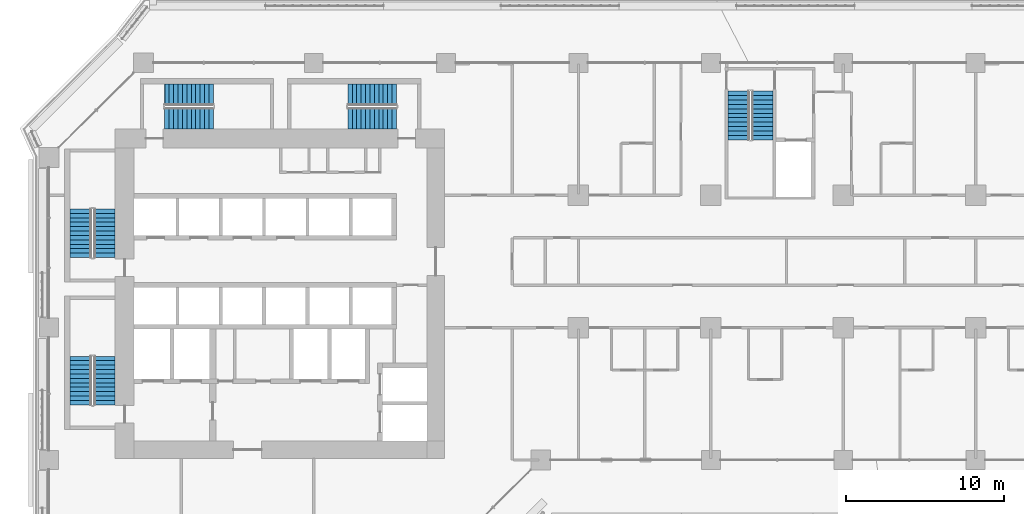
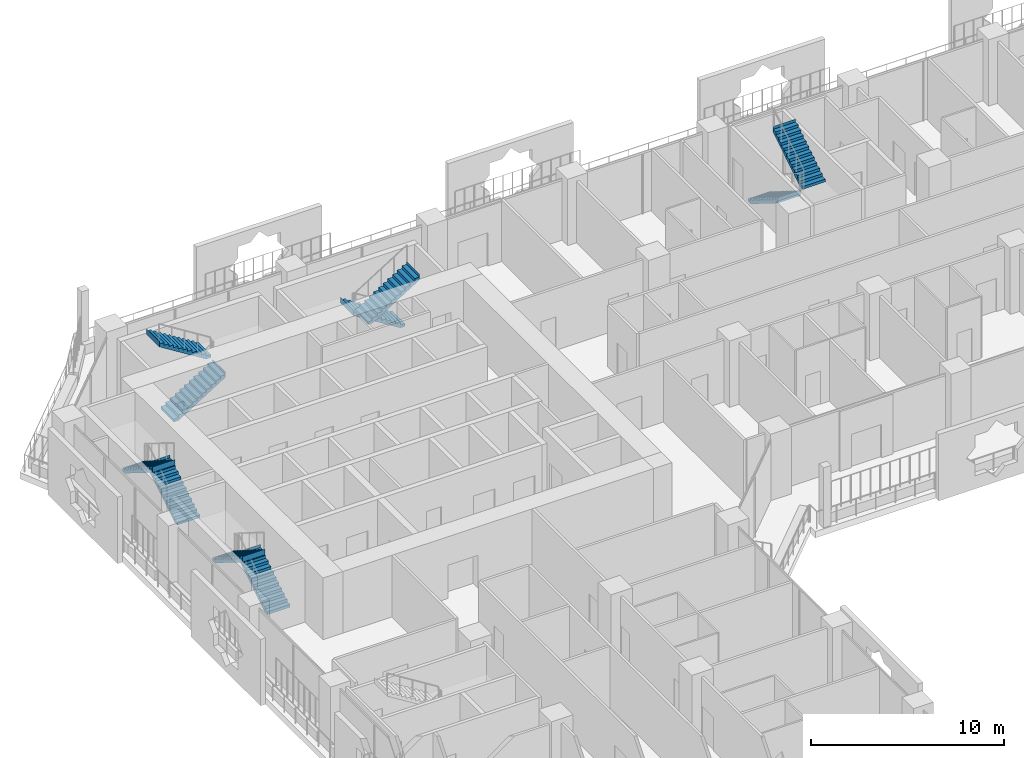
# One storey, part 21 of 29: 10 stair flights, 5 elements without a shape of their own.
"""IFC4 building model written with IfcOpenShell, lengths in metres."""

from ifc_helpers import new_model, si_unit, direction, frame, origin, place, context, subcontext, project, spatial, polyline, outline, extrude, material, type_object, element, aggregate, save


model = new_model("IFC4")

# Units and contexts
model_context = context("Model", 3, precision=1e-05, world=origin(), true_north=direction((0.0, 1.0)))
body_context = subcontext(model_context, "Body", "Model", "MODEL_VIEW")
ifc_project = project(units=[si_unit("LENGTHUNIT", "METRE"), si_unit("AREAUNIT", "SQUARE_METRE"), si_unit("VOLUMEUNIT", "CUBIC_METRE"), si_unit("PLANEANGLEUNIT", "RADIAN"), si_unit("MASSUNIT", "GRAM", prefix="KILO")], contexts=[model_context])

# Site, building, storey
site_placement = place(None, origin())
site = spatial("IfcSite", under=ifc_project, at=site_placement, CompositionType="ELEMENT")
building_placement = place(site_placement, origin())
building = spatial("IfcBuilding", under=site, at=building_placement, Name="Kawkab Arch Medical Tower", CompositionType="ELEMENT")
storey_placement = place(building_placement, frame((0.0, 0.0, 64.39990234375)))
storey = spatial("IfcBuildingStorey", under=building, at=storey_placement, Name="L14", CompositionType="ELEMENT", Elevation=64.39990234375)

# Stair, stair flights
ifc_material_1 = material(Name="Concrete C40/50", Category="concrete")
stair_type = type_object("IfcStairType", Name="Exit stair 1350", PredefinedType="HALF_TURN_STAIR", material=ifc_material_1)
placement = place(storey_placement, origin())
stair_1 = element("IfcStair", 1, at=placement, inside=storey, type_object=stair_type, Name="L14 Exit stair ST1", PredefinedType="HALF_TURN_STAIR")
ifc_material_2 = material(Name="Concrete C40/50", Category="concrete")
stair_flight_type = type_object("IfcStairFlightType", Name="Exit stair flight 1350", PredefinedType="STRAIGHT", material=ifc_material_2)
stair_flight_1_placement = place(storey_placement, frame((3.52490234375, -12.35009765625, 0.0), z_axis=(0.0, 0.0, 1.0), x_axis=(0.0, 1.0, 0.0)))
stair_flight_1 = element("IfcStairFlight", 2, at=stair_flight_1_placement, type_object=stair_flight_type, Name="ST1 flight 1", NumberOfRisers=12, NumberOfTreads=11, PredefinedType="STRAIGHT", RiserHeight=0.175, TreadLength=0.28, context=body_context, shape_type="SweptSolid", body=[
    extrude(outline(polyline([(-0.0029296875, 0.0), (-0.0029296875, 0.175048828125), (0.0, 0.175048828125), (0.280029296875, 0.175048828125), (0.280029296875, 0.35009765625), (0.56005859375, 0.35009765625), (0.56005859375, 0.52490234375), (0.840087890625, 0.52490234375), (0.840087890625, 0.699951171875), (1.1201171875, 0.699951171875), (1.1201171875, 0.875), (1.39990234375, 0.875), (1.39990234375, 1.050048828125), (1.679931640625, 1.050048828125), (1.679931640625, 1.22509765625), (1.9599609375, 1.22509765625), (1.9599609375, 1.39990234375), (2.239990234375, 1.39990234375), (2.239990234375, 1.574951171875), (2.52001953125, 1.574951171875), (2.52001953125, 1.75), (2.800048828125, 1.75), (2.800048828125, 1.925048828125), (3.080078125, 1.925048828125), (3.080078125, 2.10009765625), (3.0830078125, 2.10009765625), (3.0830078125, 1.748291015625), (3.080078125, 1.748291015625), (0.28271484375, 0.0), (-0.0029296875, 0.0)])), frame((0.0, 0.675048828125, 0.0), z_axis=(0.0, -1.0, 0.0), x_axis=(1.0, 0.0, 0.0)), (0.0, 0.0, 1.0), 1.35009765625),
])
stair_flight_2_placement = place(storey_placement, frame((2.02490234375, -9.27001953125, 2.10009765625), z_axis=(0.0, 0.0, 1.0), x_axis=(0.0, -1.0, 0.0)))
stair_flight_2 = element("IfcStairFlight", 3, at=stair_flight_2_placement, type_object=stair_flight_type, Name="ST1 flight 2", NumberOfRisers=12, NumberOfTreads=11, PredefinedType="STRAIGHT", RiserHeight=0.175, TreadLength=0.28, context=body_context, shape_type="SweptSolid", body=[
    extrude(outline(polyline([(-0.0029296875, 0.0), (-0.0029296875, 0.175048828125), (0.0, 0.175048828125), (0.280029296875, 0.175048828125), (0.280029296875, 0.35009765625), (0.56005859375, 0.35009765625), (0.56005859375, 0.52490234375), (0.840087890625, 0.52490234375), (0.840087890625, 0.699951171875), (1.1201171875, 0.699951171875), (1.1201171875, 0.875), (1.39990234375, 0.875), (1.39990234375, 1.050048828125), (1.679931640625, 1.050048828125), (1.679931640625, 1.22509765625), (1.9599609375, 1.22509765625), (1.9599609375, 1.39990234375), (2.239990234375, 1.39990234375), (2.239990234375, 1.574951171875), (2.52001953125, 1.574951171875), (2.52001953125, 1.75), (2.800048828125, 1.75), (2.800048828125, 1.925048828125), (3.080078125, 1.925048828125), (3.080078125, 2.10009765625), (3.0830078125, 2.10009765625), (3.0830078125, 1.748291015625), (3.080078125, 1.748291015625), (0.28271484375, 0.0), (-0.0029296875, 0.0)])), frame((0.0, 0.675048828125, 0.0), z_axis=(0.0, -1.0, 0.0), x_axis=(1.0, 0.0, 0.0)), (0.0, 0.0, 1.0), 1.35009765625),
])
aggregate(stair_1, [stair_flight_1, stair_flight_2])

stair_2 = element("IfcStair", 4, at=placement, inside=storey, type_object=stair_type, Name="L14 Exit stair ST2", PredefinedType="HALF_TURN_STAIR")
stair_flight_3_placement = place(storey_placement, frame((3.52490234375, -21.699951171875, 0.0), z_axis=(0.0, 0.0, 1.0), x_axis=(0.0, 1.0, 0.0)))
stair_flight_3 = element("IfcStairFlight", 5, at=stair_flight_3_placement, type_object=stair_flight_type, Name="ST2 flight 1", NumberOfRisers=12, NumberOfTreads=11, PredefinedType="STRAIGHT", RiserHeight=0.175, TreadLength=0.28, context=body_context, shape_type="SweptSolid", body=[
    extrude(outline(polyline([(-0.0029296875, 0.0), (-0.0029296875, 0.175048828125), (0.0, 0.175048828125), (0.280029296875, 0.175048828125), (0.280029296875, 0.35009765625), (0.56005859375, 0.35009765625), (0.56005859375, 0.52490234375), (0.840087890625, 0.52490234375), (0.840087890625, 0.699951171875), (1.1201171875, 0.699951171875), (1.1201171875, 0.875), (1.39990234375, 0.875), (1.39990234375, 1.050048828125), (1.679931640625, 1.050048828125), (1.679931640625, 1.22509765625), (1.9599609375, 1.22509765625), (1.9599609375, 1.39990234375), (2.239990234375, 1.39990234375), (2.239990234375, 1.574951171875), (2.52001953125, 1.574951171875), (2.52001953125, 1.75), (2.800048828125, 1.75), (2.800048828125, 1.925048828125), (3.080078125, 1.925048828125), (3.080078125, 2.10009765625), (3.0830078125, 2.10009765625), (3.0830078125, 1.748291015625), (3.080078125, 1.748291015625), (0.28271484375, 0.0), (-0.0029296875, 0.0)])), frame((0.0, 0.675048828125, 0.0), z_axis=(0.0, -1.0, 0.0), x_axis=(1.0, 0.0, 0.0)), (0.0, 0.0, 1.0), 1.35009765625),
])
stair_flight_4_placement = place(storey_placement, frame((2.02490234375, -18.6201171875, 2.10009765625), z_axis=(0.0, 0.0, 1.0), x_axis=(0.0, -1.0, 0.0)))
stair_flight_4 = element("IfcStairFlight", 6, at=stair_flight_4_placement, type_object=stair_flight_type, Name="ST2 flight 2", NumberOfRisers=12, NumberOfTreads=11, PredefinedType="STRAIGHT", RiserHeight=0.175, TreadLength=0.28, context=body_context, shape_type="SweptSolid", body=[
    extrude(outline(polyline([(-0.0029296875, 0.0), (-0.0029296875, 0.175048828125), (0.0, 0.175048828125), (0.280029296875, 0.175048828125), (0.280029296875, 0.35009765625), (0.56005859375, 0.35009765625), (0.56005859375, 0.52490234375), (0.840087890625, 0.52490234375), (0.840087890625, 0.699951171875), (1.1201171875, 0.699951171875), (1.1201171875, 0.875), (1.39990234375, 0.875), (1.39990234375, 1.050048828125), (1.679931640625, 1.050048828125), (1.679931640625, 1.22509765625), (1.9599609375, 1.22509765625), (1.9599609375, 1.39990234375), (2.239990234375, 1.39990234375), (2.239990234375, 1.574951171875), (2.52001953125, 1.574951171875), (2.52001953125, 1.75), (2.800048828125, 1.75), (2.800048828125, 1.925048828125), (3.080078125, 1.925048828125), (3.080078125, 2.10009765625), (3.0830078125, 2.10009765625), (3.0830078125, 1.748291015625), (3.080078125, 1.748291015625), (0.28271484375, 0.0), (-0.0029296875, 0.0)])), frame((0.0, 0.675048828125, 0.0), z_axis=(0.0, -1.0, 0.0), x_axis=(1.0, 0.0, 0.0)), (0.0, 0.0, 1.0), 1.35009765625),
])
aggregate(stair_2, [stair_flight_3, stair_flight_4])

stair_3 = element("IfcStair", 7, at=placement, inside=storey, type_object=stair_type, Name="L14 Exit stair ST3", PredefinedType="HALF_TURN_STAIR")
stair_flight_5_placement = place(storey_placement, frame((7.35009765625, -3.52490234375, 0.0), z_axis=(0.0, 0.0, 1.0), x_axis=(1.0, 0.0, 0.0)))
stair_flight_5 = element("IfcStairFlight", 8, at=stair_flight_5_placement, type_object=stair_flight_type, Name="ST3 flight 1", NumberOfRisers=12, NumberOfTreads=11, PredefinedType="STRAIGHT", RiserHeight=0.175, TreadLength=0.28, context=body_context, shape_type="SweptSolid", body=[
    extrude(outline(polyline([(-0.0029296875, 0.0), (-0.0029296875, 0.175048828125), (0.0, 0.175048828125), (0.280029296875, 0.175048828125), (0.280029296875, 0.35009765625), (0.56005859375, 0.35009765625), (0.56005859375, 0.52490234375), (0.840087890625, 0.52490234375), (0.840087890625, 0.699951171875), (1.1201171875, 0.699951171875), (1.1201171875, 0.875), (1.39990234375, 0.875), (1.39990234375, 1.050048828125), (1.679931640625, 1.050048828125), (1.679931640625, 1.22509765625), (1.9599609375, 1.22509765625), (1.9599609375, 1.39990234375), (2.239990234375, 1.39990234375), (2.239990234375, 1.574951171875), (2.52001953125, 1.574951171875), (2.52001953125, 1.75), (2.800048828125, 1.75), (2.800048828125, 1.925048828125), (3.080078125, 1.925048828125), (3.080078125, 2.10009765625), (3.0830078125, 2.10009765625), (3.0830078125, 1.748291015625), (3.080078125, 1.748291015625), (0.28271484375, 0.0), (-0.0029296875, 0.0)])), frame((0.0, 0.675048828125, 0.0), z_axis=(0.0, -1.0, 0.0), x_axis=(1.0, 0.0, 0.0)), (0.0, 0.0, 1.0), 1.35009765625),
])
stair_flight_6_placement = place(storey_placement, frame((10.429931640625, -2.02490234375, 2.10009765625), z_axis=(0.0, 0.0, 1.0), x_axis=(-1.0, 0.0, 0.0)))
stair_flight_6 = element("IfcStairFlight", 9, at=stair_flight_6_placement, type_object=stair_flight_type, Name="ST3 flight 2", NumberOfRisers=12, NumberOfTreads=11, PredefinedType="STRAIGHT", RiserHeight=0.175, TreadLength=0.28, context=body_context, shape_type="SweptSolid", body=[
    extrude(outline(polyline([(-0.0029296875, 0.0), (-0.0029296875, 0.175048828125), (0.0, 0.175048828125), (0.280029296875, 0.175048828125), (0.280029296875, 0.35009765625), (0.56005859375, 0.35009765625), (0.56005859375, 0.52490234375), (0.840087890625, 0.52490234375), (0.840087890625, 0.699951171875), (1.1201171875, 0.699951171875), (1.1201171875, 0.875), (1.39990234375, 0.875), (1.39990234375, 1.050048828125), (1.679931640625, 1.050048828125), (1.679931640625, 1.22509765625), (1.9599609375, 1.22509765625), (1.9599609375, 1.39990234375), (2.239990234375, 1.39990234375), (2.239990234375, 1.574951171875), (2.52001953125, 1.574951171875), (2.52001953125, 1.75), (2.800048828125, 1.75), (2.800048828125, 1.925048828125), (3.080078125, 1.925048828125), (3.080078125, 2.10009765625), (3.0830078125, 2.10009765625), (3.0830078125, 1.748291015625), (3.080078125, 1.748291015625), (0.28271484375, 0.0), (-0.0029296875, 0.0)])), frame((0.0, 0.675048828125, 0.0), z_axis=(0.0, -1.0, 0.0), x_axis=(1.0, 0.0, 0.0)), (0.0, 0.0, 1.0), 1.35009765625),
])
aggregate(stair_3, [stair_flight_5, stair_flight_6])

stair_4 = element("IfcStair", 10, at=placement, inside=storey, type_object=stair_type, Name="L14 Exit stair ST4", PredefinedType="HALF_TURN_STAIR")
stair_flight_7_placement = place(storey_placement, frame((22.050048828125, -2.02490234375, 0.0), z_axis=(0.0, 0.0, 1.0), x_axis=(-1.0, 0.0, 0.0)))
stair_flight_7 = element("IfcStairFlight", 11, at=stair_flight_7_placement, type_object=stair_flight_type, Name="ST4 flight 1", NumberOfRisers=12, NumberOfTreads=11, PredefinedType="STRAIGHT", RiserHeight=0.175, TreadLength=0.28, context=body_context, shape_type="SweptSolid", body=[
    extrude(outline(polyline([(-0.0029296875, 0.0), (-0.0029296875, 0.175048828125), (0.0, 0.175048828125), (0.280029296875, 0.175048828125), (0.280029296875, 0.35009765625), (0.56005859375, 0.35009765625), (0.56005859375, 0.52490234375), (0.840087890625, 0.52490234375), (0.840087890625, 0.699951171875), (1.1201171875, 0.699951171875), (1.1201171875, 0.875), (1.39990234375, 0.875), (1.39990234375, 1.050048828125), (1.679931640625, 1.050048828125), (1.679931640625, 1.22509765625), (1.9599609375, 1.22509765625), (1.9599609375, 1.39990234375), (2.239990234375, 1.39990234375), (2.239990234375, 1.574951171875), (2.52001953125, 1.574951171875), (2.52001953125, 1.75), (2.800048828125, 1.75), (2.800048828125, 1.925048828125), (3.080078125, 1.925048828125), (3.080078125, 2.10009765625), (3.0830078125, 2.10009765625), (3.0830078125, 1.748291015625), (3.080078125, 1.748291015625), (0.28271484375, 0.0), (-0.0029296875, 0.0)])), frame((0.0, 0.675048828125, 0.0), z_axis=(0.0, -1.0, 0.0), x_axis=(1.0, 0.0, 0.0)), (0.0, 0.0, 1.0), 1.35009765625),
])
stair_flight_8_placement = place(storey_placement, frame((18.969970703125, -3.52490234375, 2.10009765625), z_axis=(0.0, 0.0, 1.0), x_axis=(1.0, 0.0, 0.0)))
stair_flight_8 = element("IfcStairFlight", 12, at=stair_flight_8_placement, type_object=stair_flight_type, Name="ST4 flight 2", NumberOfRisers=12, NumberOfTreads=11, PredefinedType="STRAIGHT", RiserHeight=0.175, TreadLength=0.28, context=body_context, shape_type="SweptSolid", body=[
    extrude(outline(polyline([(-0.0029296875, 0.0), (-0.0029296875, 0.175048828125), (0.0, 0.175048828125), (0.280029296875, 0.175048828125), (0.280029296875, 0.35009765625), (0.56005859375, 0.35009765625), (0.56005859375, 0.52490234375), (0.840087890625, 0.52490234375), (0.840087890625, 0.699951171875), (1.1201171875, 0.699951171875), (1.1201171875, 0.875), (1.39990234375, 0.875), (1.39990234375, 1.050048828125), (1.679931640625, 1.050048828125), (1.679931640625, 1.22509765625), (1.9599609375, 1.22509765625), (1.9599609375, 1.39990234375), (2.239990234375, 1.39990234375), (2.239990234375, 1.574951171875), (2.52001953125, 1.574951171875), (2.52001953125, 1.75), (2.800048828125, 1.75), (2.800048828125, 1.925048828125), (3.080078125, 1.925048828125), (3.080078125, 2.10009765625), (3.0830078125, 2.10009765625), (3.0830078125, 1.748291015625), (3.080078125, 1.748291015625), (0.28271484375, 0.0), (-0.0029296875, 0.0)])), frame((0.0, 0.675048828125, 0.0), z_axis=(0.0, -1.0, 0.0), x_axis=(1.0, 0.0, 0.0)), (0.0, 0.0, 1.0), 1.35009765625),
])
aggregate(stair_4, [stair_flight_7, stair_flight_8])

stair_5 = element("IfcStair", 13, at=placement, inside=storey, type_object=stair_type, Name="L14 Exit stair ST5", PredefinedType="HALF_TURN_STAIR")
stair_flight_9_placement = place(storey_placement, frame((43.77490234375, -1.800048828125, 0.0), z_axis=(0.0, 0.0, 1.0), x_axis=(0.0, -1.0, 0.0)))
stair_flight_9 = element("IfcStairFlight", 14, at=stair_flight_9_placement, type_object=stair_flight_type, Name="ST5 flight 1", NumberOfRisers=12, NumberOfTreads=11, PredefinedType="STRAIGHT", RiserHeight=0.175, TreadLength=0.28, context=body_context, shape_type="SweptSolid", body=[
    extrude(outline(polyline([(-0.0029296875, 0.0), (-0.0029296875, 0.175048828125), (0.0, 0.175048828125), (0.280029296875, 0.175048828125), (0.280029296875, 0.35009765625), (0.56005859375, 0.35009765625), (0.56005859375, 0.52490234375), (0.840087890625, 0.52490234375), (0.840087890625, 0.699951171875), (1.1201171875, 0.699951171875), (1.1201171875, 0.875), (1.39990234375, 0.875), (1.39990234375, 1.050048828125), (1.679931640625, 1.050048828125), (1.679931640625, 1.22509765625), (1.9599609375, 1.22509765625), (1.9599609375, 1.39990234375), (2.239990234375, 1.39990234375), (2.239990234375, 1.574951171875), (2.52001953125, 1.574951171875), (2.52001953125, 1.75), (2.800048828125, 1.75), (2.800048828125, 1.925048828125), (3.080078125, 1.925048828125), (3.080078125, 2.10009765625), (3.0830078125, 2.10009765625), (3.0830078125, 1.748291015625), (3.080078125, 1.748291015625), (0.28271484375, 0.0), (-0.0029296875, 0.0)])), frame((0.0, 0.675048828125, 0.0), z_axis=(0.0, -1.0, 0.0), x_axis=(1.0, 0.0, 0.0)), (0.0, 0.0, 1.0), 1.35009765625),
])
stair_flight_10_placement = place(storey_placement, frame((45.27490234375, -4.8798828125, 2.10009765625), z_axis=(0.0, 0.0, 1.0), x_axis=(0.0, 1.0, 0.0)))
stair_flight_10 = element("IfcStairFlight", 15, at=stair_flight_10_placement, type_object=stair_flight_type, Name="ST5 flight 2", NumberOfRisers=12, NumberOfTreads=11, PredefinedType="STRAIGHT", RiserHeight=0.175, TreadLength=0.28, context=body_context, shape_type="SweptSolid", body=[
    extrude(outline(polyline([(-0.0029296875, 0.0), (-0.0029296875, 0.175048828125), (0.0, 0.175048828125), (0.280029296875, 0.175048828125), (0.280029296875, 0.35009765625), (0.56005859375, 0.35009765625), (0.56005859375, 0.52490234375), (0.840087890625, 0.52490234375), (0.840087890625, 0.699951171875), (1.1201171875, 0.699951171875), (1.1201171875, 0.875), (1.39990234375, 0.875), (1.39990234375, 1.050048828125), (1.679931640625, 1.050048828125), (1.679931640625, 1.22509765625), (1.9599609375, 1.22509765625), (1.9599609375, 1.39990234375), (2.239990234375, 1.39990234375), (2.239990234375, 1.574951171875), (2.52001953125, 1.574951171875), (2.52001953125, 1.75), (2.800048828125, 1.75), (2.800048828125, 1.925048828125), (3.080078125, 1.925048828125), (3.080078125, 2.10009765625), (3.0830078125, 2.10009765625), (3.0830078125, 1.748291015625), (3.080078125, 1.748291015625), (0.28271484375, 0.0), (-0.0029296875, 0.0)])), frame((0.0, 0.675048828125, 0.0), z_axis=(0.0, -1.0, 0.0), x_axis=(1.0, 0.0, 0.0)), (0.0, 0.0, 1.0), 1.35009765625),
])
aggregate(stair_5, [stair_flight_9, stair_flight_10])

save(model, "model.ifc")
